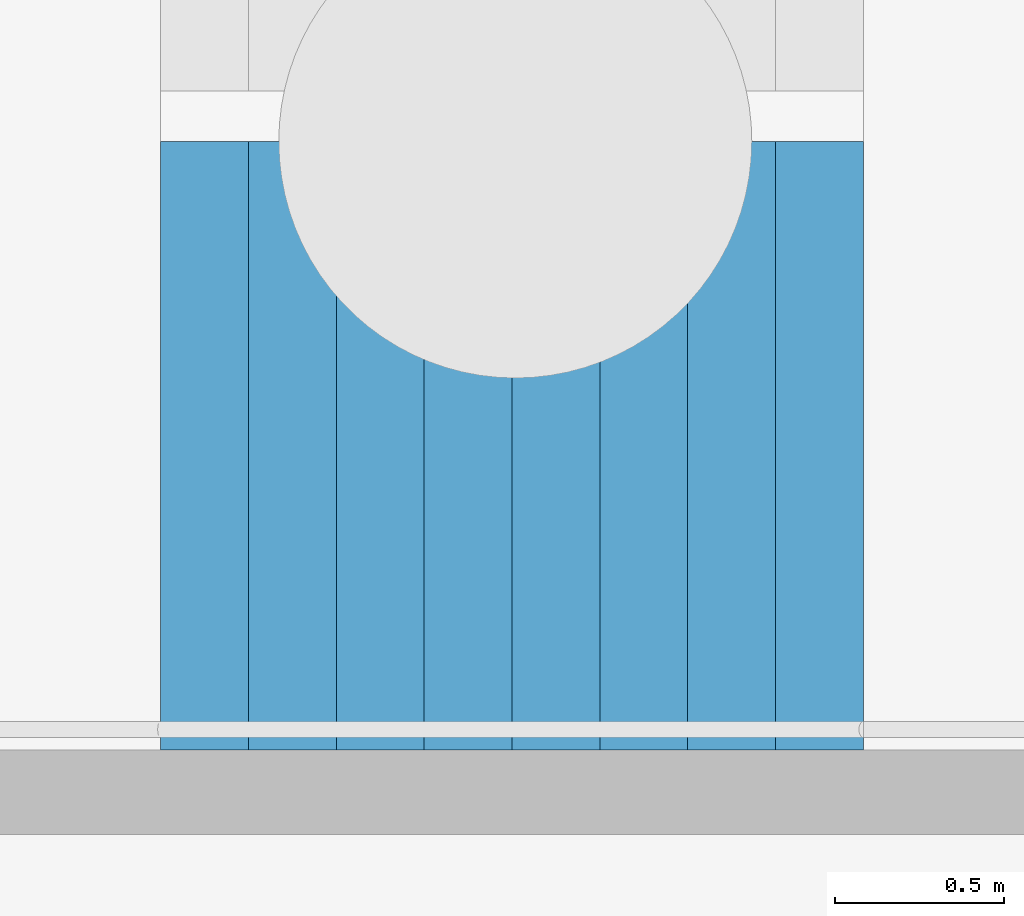
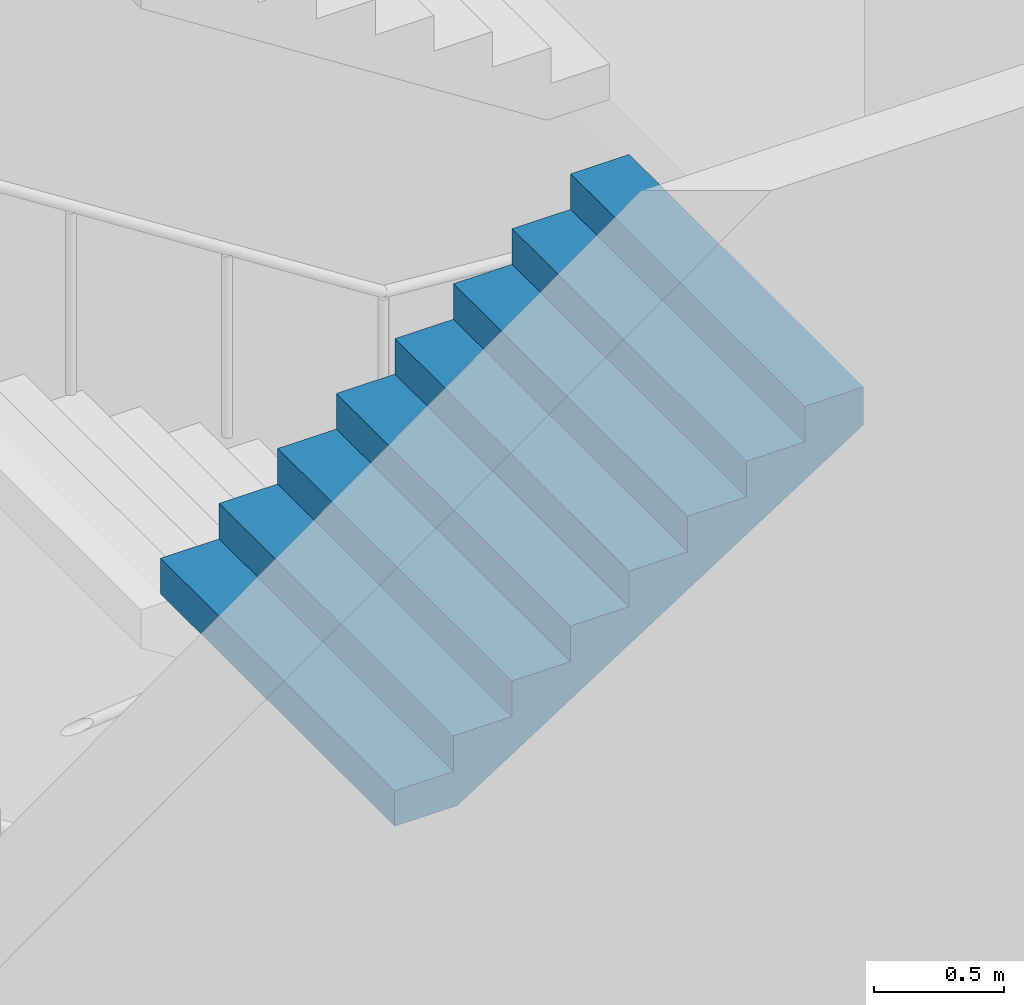
# One storey, part 60 of 113: 1 stair flight, 1 element without a shape of its own.
"""IFC4 building model written with IfcOpenShell, lengths in metres."""

from ifc_helpers import new_model, si_unit, direction, frame, origin, place, context, subcontext, project, spatial, triangles, material, type_object, element, aggregate, save


model = new_model("IFC4")

# Units and contexts
model_context = context("Model", 3, precision=1e-05, world=origin(), true_north=direction((0.0, 1.0)))
body_context = subcontext(model_context, "Body", "Model", "MODEL_VIEW")
ifc_project = project(units=[si_unit("LENGTHUNIT", "METRE"), si_unit("AREAUNIT", "SQUARE_METRE"), si_unit("VOLUMEUNIT", "CUBIC_METRE"), si_unit("PLANEANGLEUNIT", "RADIAN"), si_unit("MASSUNIT", "GRAM", prefix="KILO")], contexts=[model_context])

# Site, building, storey
site_placement = place(None, origin())
site = spatial("IfcSite", under=ifc_project, at=site_placement, CompositionType="ELEMENT")
building_placement = place(site_placement, origin())
building = spatial("IfcBuilding", under=site, at=building_placement, Name="Hakoniwa Tower and Hamabe Station Hall", CompositionType="ELEMENT")
storey_placement = place(building_placement, origin())
storey = spatial("IfcBuildingStorey", under=building, at=storey_placement, Name="L01", CompositionType="ELEMENT", Elevation=0.0)

# Stair, stair flight
ifc_material_1 = material(Name="Concrete C40", Category="concrete")
stair_type = type_object("IfcStairType", Name="ESCAPE STAIR 1800", PredefinedType="HALF_TURN_STAIR", material=ifc_material_1)
stair_placement = place(storey_placement, origin())
stair = element("IfcStair", 1, at=stair_placement, inside=storey, type_object=stair_type, Name="Escape stair ST-1 L01", PredefinedType="HALF_TURN_STAIR")
ifc_material_2 = material(Name="Concrete C40", Category="concrete")
stair_flight_type = type_object("IfcStairFlightType", Name="STAIR FLIGHT 1800", PredefinedType="STRAIGHT", material=ifc_material_2)
stair_flight_placement = place(storey_placement, frame((-24.39990234375, 4.64990234375, 6.0), z_axis=(0.0, 0.0, 1.0), x_axis=(1.0, 0.0, 0.0)))
stair_flight = element("IfcStairFlight", 2, at=stair_flight_placement, type_object=stair_flight_type, Name="ST-1 flight 5", NumberOfRisers=9, NumberOfTreads=8, PredefinedType="STRAIGHT", RiserHeight=0.166666667, TreadLength=0.26, context=body_context, shape_type="Tessellation", body=[
    triangles([(0.0, 0.89990234375, 0.0), (0.260009765625, 0.89990234375, 0.0), (0.27783203125, 0.89990234375, 0.0), (0.52001953125, 0.89990234375, 0.1552734375), (0.780029296875, 0.89990234375, 0.322021484375), (1.0400390625, 0.89990234375, 0.488525390625), (1.300048828125, 0.89990234375, 0.6552734375), (1.56005859375, 0.89990234375, 0.822021484375), (1.820068359375, 0.89990234375, 0.988525390625), (2.080078125, 0.89990234375, 1.1552734375), (2.080078125, 0.89990234375, 1.333251953125), (1.820068359375, 0.89990234375, 1.333251953125), (1.820068359375, 0.89990234375, 1.166748046875), (1.56005859375, 0.89990234375, 1.166748046875), (1.56005859375, 0.89990234375, 1.0), (1.300048828125, 0.89990234375, 1.0), (1.300048828125, 0.89990234375, 0.833251953125), (1.0400390625, 0.89990234375, 0.833251953125), (1.0400390625, 0.89990234375, 0.666748046875), (0.780029296875, 0.89990234375, 0.666748046875), (0.780029296875, 0.89990234375, 0.5), (0.52001953125, 0.89990234375, 0.5), (0.52001953125, 0.89990234375, 0.333251953125), (0.27783203125, 0.89990234375, 0.333251953125), (0.260009765625, 0.89990234375, 0.333251953125), (0.260009765625, 0.89990234375, 0.166748046875), (0.0, 0.89990234375, 0.166748046875), (0.0, 0.06005859375, 0.0), (0.260009765625, 0.06005859375, 0.0), (0.27783203125, 0.06005859375, 0.0), (0.52001953125, 0.06005859375, 0.1552734375), (0.780029296875, 0.06005859375, 0.322021484375), (1.0400390625, 0.06005859375, 0.488525390625), (1.300048828125, 0.06005859375, 0.6552734375), (1.56005859375, 0.06005859375, 0.822021484375), (1.820068359375, 0.06005859375, 0.988525390625), (2.080078125, 0.06005859375, 1.1552734375), (2.080078125, 0.06005859375, 1.333251953125), (1.820068359375, 0.06005859375, 1.333251953125), (1.820068359375, 0.06005859375, 1.166748046875), (1.56005859375, 0.06005859375, 1.166748046875), (1.56005859375, 0.06005859375, 1.0), (1.300048828125, 0.06005859375, 1.0), (1.300048828125, 0.06005859375, 0.833251953125), (1.0400390625, 0.06005859375, 0.833251953125), (1.0400390625, 0.06005859375, 0.666748046875), (0.780029296875, 0.06005859375, 0.666748046875), (0.780029296875, 0.06005859375, 0.5), (0.52001953125, 0.06005859375, 0.5), (0.52001953125, 0.06005859375, 0.333251953125), (0.27783203125, 0.06005859375, 0.333251953125), (0.260009765625, 0.06005859375, 0.333251953125), (0.260009765625, 0.06005859375, 0.166748046875), (0.0, 0.06005859375, 0.166748046875), (0.0, 0.04296875, 0.0), (0.260009765625, 0.04296875, 0.0), (0.27783203125, 0.04296875, 0.0), (0.52001953125, 0.04296875, 0.1552734375), (0.780029296875, 0.04296875, 0.322021484375), (1.0400390625, 0.04296875, 0.488525390625), (1.300048828125, 0.04296875, 0.6552734375), (1.56005859375, 0.04296875, 0.822021484375), (1.820068359375, 0.04296875, 0.988525390625), (2.080078125, 0.04296875, 1.1552734375), (2.080078125, 0.04296875, 1.333251953125), (1.820068359375, 0.04296875, 1.333251953125), (1.820068359375, 0.04296875, 1.166748046875), (1.56005859375, 0.04296875, 1.166748046875), (1.56005859375, 0.04296875, 1.0), (1.300048828125, 0.04296875, 1.0), (1.300048828125, 0.04296875, 0.833251953125), (1.0400390625, 0.04296875, 0.833251953125), (1.0400390625, 0.04296875, 0.666748046875), (0.780029296875, 0.04296875, 0.666748046875), (0.780029296875, 0.04296875, 0.5), (0.52001953125, 0.04296875, 0.5), (0.52001953125, 0.04296875, 0.333251953125), (0.27783203125, 0.04296875, 0.333251953125), (0.260009765625, 0.04296875, 0.333251953125), (0.260009765625, 0.04296875, 0.166748046875), (0.0, 0.04296875, 0.166748046875), (0.0, 0.025634765625, 0.0), (0.260009765625, 0.025634765625, 0.0), (0.27783203125, 0.025634765625, 0.0), (0.52001953125, 0.025634765625, 0.1552734375), (0.780029296875, 0.025634765625, 0.322021484375), (1.0400390625, 0.025634765625, 0.488525390625), (1.300048828125, 0.025634765625, 0.6552734375), (1.56005859375, 0.025634765625, 0.822021484375), (1.820068359375, 0.025634765625, 0.988525390625), (2.080078125, 0.025634765625, 1.1552734375), (2.080078125, 0.025634765625, 1.333251953125), (1.820068359375, 0.025634765625, 1.333251953125), (1.820068359375, 0.025634765625, 1.166748046875), (1.56005859375, 0.025634765625, 1.166748046875), (1.56005859375, 0.025634765625, 1.0), (1.300048828125, 0.025634765625, 1.0), (1.300048828125, 0.025634765625, 0.833251953125), (1.0400390625, 0.025634765625, 0.833251953125), (1.0400390625, 0.025634765625, 0.666748046875), (0.780029296875, 0.025634765625, 0.666748046875), (0.780029296875, 0.025634765625, 0.5), (0.52001953125, 0.025634765625, 0.5), (0.52001953125, 0.025634765625, 0.333251953125), (0.27783203125, 0.025634765625, 0.333251953125), (0.260009765625, 0.025634765625, 0.333251953125), (0.260009765625, 0.025634765625, 0.166748046875), (0.0, 0.025634765625, 0.166748046875), (0.0, 0.008544921875, 0.0), (0.260009765625, 0.008544921875, 0.0), (0.27783203125, 0.008544921875, 0.0), (0.52001953125, 0.008544921875, 0.1552734375), (0.780029296875, 0.008544921875, 0.322021484375), (1.0400390625, 0.008544921875, 0.488525390625), (1.300048828125, 0.008544921875, 0.6552734375), (1.56005859375, 0.008544921875, 0.822021484375), (1.820068359375, 0.008544921875, 0.988525390625), (2.080078125, 0.008544921875, 1.1552734375), (2.080078125, 0.008544921875, 1.333251953125), (1.820068359375, 0.008544921875, 1.333251953125), (1.820068359375, 0.008544921875, 1.166748046875), (1.56005859375, 0.008544921875, 1.166748046875), (1.56005859375, 0.008544921875, 1.0), (1.300048828125, 0.008544921875, 1.0), (1.300048828125, 0.008544921875, 0.833251953125), (1.0400390625, 0.008544921875, 0.833251953125), (1.0400390625, 0.008544921875, 0.666748046875), (0.780029296875, 0.008544921875, 0.666748046875), (0.780029296875, 0.008544921875, 0.5), (0.52001953125, 0.008544921875, 0.5), (0.52001953125, 0.008544921875, 0.333251953125), (0.27783203125, 0.008544921875, 0.333251953125), (0.260009765625, 0.008544921875, 0.333251953125), (0.260009765625, 0.008544921875, 0.166748046875), (0.0, 0.008544921875, 0.166748046875), (0.0, -0.008544921875, 0.0), (0.260009765625, -0.008544921875, 0.0), (0.27783203125, -0.008544921875, 0.0), (0.52001953125, -0.008544921875, 0.1552734375), (0.780029296875, -0.008544921875, 0.322021484375), (1.0400390625, -0.008544921875, 0.488525390625), (1.300048828125, -0.008544921875, 0.6552734375), (1.56005859375, -0.008544921875, 0.822021484375), (1.820068359375, -0.008544921875, 0.988525390625), (2.080078125, -0.008544921875, 1.1552734375), (2.080078125, -0.008544921875, 1.333251953125), (1.820068359375, -0.008544921875, 1.333251953125), (1.820068359375, -0.008544921875, 1.166748046875), (1.56005859375, -0.008544921875, 1.166748046875), (1.56005859375, -0.008544921875, 1.0), (1.300048828125, -0.008544921875, 1.0), (1.300048828125, -0.008544921875, 0.833251953125), (1.0400390625, -0.008544921875, 0.833251953125), (1.0400390625, -0.008544921875, 0.666748046875), (0.780029296875, -0.008544921875, 0.666748046875), (0.780029296875, -0.008544921875, 0.5), (0.52001953125, -0.008544921875, 0.5), (0.52001953125, -0.008544921875, 0.333251953125), (0.27783203125, -0.008544921875, 0.333251953125), (0.260009765625, -0.008544921875, 0.333251953125), (0.260009765625, -0.008544921875, 0.166748046875), (0.0, -0.008544921875, 0.166748046875), (0.0, -0.025634765625, 0.0), (0.260009765625, -0.025634765625, 0.0), (0.27783203125, -0.025634765625, 0.0), (0.52001953125, -0.025634765625, 0.1552734375), (0.780029296875, -0.025634765625, 0.322021484375), (1.0400390625, -0.025634765625, 0.488525390625), (1.300048828125, -0.025634765625, 0.6552734375), (1.56005859375, -0.025634765625, 0.822021484375), (1.820068359375, -0.025634765625, 0.988525390625), (2.080078125, -0.025634765625, 1.1552734375), (2.080078125, -0.025634765625, 1.333251953125), (1.820068359375, -0.025634765625, 1.333251953125), (1.820068359375, -0.025634765625, 1.166748046875), (1.56005859375, -0.025634765625, 1.166748046875), (1.56005859375, -0.025634765625, 1.0), (1.300048828125, -0.025634765625, 1.0), (1.300048828125, -0.025634765625, 0.833251953125), (1.0400390625, -0.025634765625, 0.833251953125), (1.0400390625, -0.025634765625, 0.666748046875), (0.780029296875, -0.025634765625, 0.666748046875), (0.780029296875, -0.025634765625, 0.5), (0.52001953125, -0.025634765625, 0.5), (0.52001953125, -0.025634765625, 0.333251953125), (0.27783203125, -0.025634765625, 0.333251953125), (0.260009765625, -0.025634765625, 0.333251953125), (0.260009765625, -0.025634765625, 0.166748046875), (0.0, -0.025634765625, 0.166748046875), (0.0, -0.04296875, 0.0), (0.260009765625, -0.04296875, 0.0), (0.27783203125, -0.04296875, 0.0), (0.52001953125, -0.04296875, 0.1552734375), (0.780029296875, -0.04296875, 0.322021484375), (1.0400390625, -0.04296875, 0.488525390625), (1.300048828125, -0.04296875, 0.6552734375), (1.56005859375, -0.04296875, 0.822021484375), (1.820068359375, -0.04296875, 0.988525390625), (2.080078125, -0.04296875, 1.1552734375), (2.080078125, -0.04296875, 1.333251953125), (1.820068359375, -0.04296875, 1.333251953125), (1.820068359375, -0.04296875, 1.166748046875), (1.56005859375, -0.04296875, 1.166748046875), (1.56005859375, -0.04296875, 1.0), (1.300048828125, -0.04296875, 1.0), (1.300048828125, -0.04296875, 0.833251953125), (1.0400390625, -0.04296875, 0.833251953125), (1.0400390625, -0.04296875, 0.666748046875), (0.780029296875, -0.04296875, 0.666748046875), (0.780029296875, -0.04296875, 0.5), (0.52001953125, -0.04296875, 0.5), (0.52001953125, -0.04296875, 0.333251953125), (0.27783203125, -0.04296875, 0.333251953125), (0.260009765625, -0.04296875, 0.333251953125), (0.260009765625, -0.04296875, 0.166748046875), (0.0, -0.04296875, 0.166748046875), (0.0, -0.06005859375, 0.0), (0.260009765625, -0.06005859375, 0.0), (0.27783203125, -0.06005859375, 0.0), (0.52001953125, -0.06005859375, 0.1552734375), (0.780029296875, -0.06005859375, 0.322021484375), (1.0400390625, -0.06005859375, 0.488525390625), (1.300048828125, -0.06005859375, 0.6552734375), (1.56005859375, -0.06005859375, 0.822021484375), (1.820068359375, -0.06005859375, 0.988525390625), (2.080078125, -0.06005859375, 1.1552734375), (2.080078125, -0.06005859375, 1.333251953125), (1.820068359375, -0.06005859375, 1.333251953125), (1.820068359375, -0.06005859375, 1.166748046875), (1.56005859375, -0.06005859375, 1.166748046875), (1.56005859375, -0.06005859375, 1.0), (1.300048828125, -0.06005859375, 1.0), (1.300048828125, -0.06005859375, 0.833251953125), (1.0400390625, -0.06005859375, 0.833251953125), (1.0400390625, -0.06005859375, 0.666748046875), (0.780029296875, -0.06005859375, 0.666748046875), (0.780029296875, -0.06005859375, 0.5), (0.52001953125, -0.06005859375, 0.5), (0.52001953125, -0.06005859375, 0.333251953125), (0.27783203125, -0.06005859375, 0.333251953125), (0.260009765625, -0.06005859375, 0.333251953125), (0.260009765625, -0.06005859375, 0.166748046875), (0.0, -0.06005859375, 0.166748046875), (0.0, -0.89990234375, 0.0), (0.260009765625, -0.89990234375, 0.0), (0.27783203125, -0.89990234375, 0.0), (0.52001953125, -0.89990234375, 0.1552734375), (0.780029296875, -0.89990234375, 0.322021484375), (1.0400390625, -0.89990234375, 0.488525390625), (1.300048828125, -0.89990234375, 0.6552734375), (1.56005859375, -0.89990234375, 0.822021484375), (1.820068359375, -0.89990234375, 0.988525390625), (2.080078125, -0.89990234375, 1.1552734375), (2.080078125, -0.89990234375, 1.333251953125), (1.820068359375, -0.89990234375, 1.333251953125), (1.820068359375, -0.89990234375, 1.166748046875), (1.56005859375, -0.89990234375, 1.166748046875), (1.56005859375, -0.89990234375, 1.0), (1.300048828125, -0.89990234375, 1.0), (1.300048828125, -0.89990234375, 0.833251953125), (1.0400390625, -0.89990234375, 0.833251953125), (1.0400390625, -0.89990234375, 0.666748046875), (0.780029296875, -0.89990234375, 0.666748046875), (0.780029296875, -0.89990234375, 0.5), (0.52001953125, -0.89990234375, 0.5), (0.52001953125, -0.89990234375, 0.333251953125), (0.27783203125, -0.89990234375, 0.333251953125), (0.260009765625, -0.89990234375, 0.333251953125), (0.260009765625, -0.89990234375, 0.166748046875), (0.0, -0.89990234375, 0.166748046875)], [[2, 27, 26], [245, 269, 270], [2, 1, 27], [245, 270, 244], [3, 25, 24], [246, 267, 268], [3, 26, 25], [246, 268, 269], [3, 2, 26], [246, 269, 245], [4, 24, 23], [247, 266, 267], [4, 3, 24], [247, 267, 246], [5, 22, 21], [248, 264, 265], [5, 23, 22], [248, 265, 266], [5, 4, 23], [248, 266, 247], [6, 20, 19], [249, 262, 263], [6, 21, 20], [249, 263, 264], [6, 5, 21], [249, 264, 248], [7, 18, 17], [250, 260, 261], [7, 19, 18], [250, 261, 262], [7, 6, 19], [250, 262, 249], [8, 16, 15], [251, 258, 259], [8, 17, 16], [251, 259, 260], [8, 7, 17], [251, 260, 250], [9, 14, 13], [252, 256, 257], [9, 15, 14], [252, 257, 258], [9, 8, 15], [252, 258, 251], [10, 12, 11], [253, 254, 255], [10, 13, 12], [253, 255, 256], [10, 9, 13], [253, 256, 252], [1, 2, 29], [1, 29, 28], [28, 29, 56], [28, 56, 55], [55, 56, 83], [55, 83, 82], [82, 83, 110], [82, 110, 109], [109, 110, 137], [109, 137, 136], [136, 137, 164], [136, 164, 163], [163, 164, 191], [163, 191, 190], [190, 191, 218], [190, 218, 217], [217, 218, 245], [217, 245, 244], [2, 3, 30], [2, 30, 29], [29, 30, 57], [29, 57, 56], [56, 57, 84], [56, 84, 83], [83, 84, 111], [83, 111, 110], [110, 111, 138], [110, 138, 137], [137, 138, 165], [137, 165, 164], [164, 165, 192], [164, 192, 191], [191, 192, 219], [191, 219, 218], [218, 219, 246], [218, 246, 245], [3, 4, 31], [3, 31, 30], [30, 31, 58], [30, 58, 57], [57, 58, 85], [57, 85, 84], [84, 85, 112], [84, 112, 111], [111, 112, 139], [111, 139, 138], [138, 139, 166], [138, 166, 165], [165, 166, 193], [165, 193, 192], [192, 193, 220], [192, 220, 219], [219, 220, 247], [219, 247, 246], [4, 5, 32], [4, 32, 31], [31, 32, 59], [31, 59, 58], [58, 59, 86], [58, 86, 85], [85, 86, 113], [85, 113, 112], [112, 113, 140], [112, 140, 139], [139, 140, 167], [139, 167, 166], [166, 167, 194], [166, 194, 193], [193, 194, 221], [193, 221, 220], [220, 221, 248], [220, 248, 247], [5, 6, 33], [5, 33, 32], [32, 33, 60], [32, 60, 59], [59, 60, 87], [59, 87, 86], [86, 87, 114], [86, 114, 113], [113, 114, 141], [113, 141, 140], [140, 141, 168], [140, 168, 167], [167, 168, 195], [167, 195, 194], [194, 195, 222], [194, 222, 221], [221, 222, 249], [221, 249, 248], [6, 7, 34], [6, 34, 33], [33, 34, 61], [33, 61, 60], [60, 61, 88], [60, 88, 87], [87, 88, 115], [87, 115, 114], [114, 115, 142], [114, 142, 141], [141, 142, 169], [141, 169, 168], [168, 169, 196], [168, 196, 195], [195, 196, 223], [195, 223, 222], [222, 223, 250], [222, 250, 249], [7, 8, 35], [7, 35, 34], [34, 35, 62], [34, 62, 61], [61, 62, 89], [61, 89, 88], [88, 89, 116], [88, 116, 115], [115, 116, 143], [115, 143, 142], [142, 143, 170], [142, 170, 169], [169, 170, 197], [169, 197, 196], [196, 197, 224], [196, 224, 223], [223, 224, 251], [223, 251, 250], [8, 9, 36], [8, 36, 35], [35, 36, 63], [35, 63, 62], [62, 63, 90], [62, 90, 89], [89, 90, 117], [89, 117, 116], [116, 117, 144], [116, 144, 143], [143, 144, 171], [143, 171, 170], [170, 171, 198], [170, 198, 197], [197, 198, 225], [197, 225, 224], [224, 225, 252], [224, 252, 251], [9, 10, 37], [9, 37, 36], [36, 37, 64], [36, 64, 63], [63, 64, 91], [63, 91, 90], [90, 91, 118], [90, 118, 117], [117, 118, 145], [117, 145, 144], [144, 145, 172], [144, 172, 171], [171, 172, 199], [171, 199, 198], [198, 199, 226], [198, 226, 225], [225, 226, 253], [225, 253, 252], [10, 11, 38], [10, 38, 37], [37, 38, 65], [37, 65, 64], [64, 65, 92], [64, 92, 91], [91, 92, 119], [91, 119, 118], [118, 119, 146], [118, 146, 145], [145, 146, 173], [145, 173, 172], [172, 173, 200], [172, 200, 199], [199, 200, 227], [199, 227, 226], [226, 227, 254], [226, 254, 253], [11, 12, 39], [11, 39, 38], [38, 39, 66], [38, 66, 65], [65, 66, 93], [65, 93, 92], [92, 93, 120], [92, 120, 119], [119, 120, 147], [119, 147, 146], [146, 147, 174], [146, 174, 173], [173, 174, 201], [173, 201, 200], [200, 201, 228], [200, 228, 227], [227, 228, 255], [227, 255, 254], [12, 13, 40], [12, 40, 39], [39, 40, 67], [39, 67, 66], [66, 67, 94], [66, 94, 93], [93, 94, 121], [93, 121, 120], [120, 121, 148], [120, 148, 147], [147, 148, 175], [147, 175, 174], [174, 175, 202], [174, 202, 201], [201, 202, 229], [201, 229, 228], [228, 229, 256], [228, 256, 255], [13, 14, 41], [13, 41, 40], [40, 41, 68], [40, 68, 67], [67, 68, 95], [67, 95, 94], [94, 95, 122], [94, 122, 121], [121, 122, 149], [121, 149, 148], [148, 149, 176], [148, 176, 175], [175, 176, 203], [175, 203, 202], [202, 203, 230], [202, 230, 229], [229, 230, 257], [229, 257, 256], [14, 15, 42], [14, 42, 41], [41, 42, 69], [41, 69, 68], [68, 69, 96], [68, 96, 95], [95, 96, 123], [95, 123, 122], [122, 123, 150], [122, 150, 149], [149, 150, 177], [149, 177, 176], [176, 177, 204], [176, 204, 203], [203, 204, 231], [203, 231, 230], [230, 231, 258], [230, 258, 257], [15, 16, 43], [15, 43, 42], [42, 43, 70], [42, 70, 69], [69, 70, 97], [69, 97, 96], [96, 97, 124], [96, 124, 123], [123, 124, 151], [123, 151, 150], [150, 151, 178], [150, 178, 177], [177, 178, 205], [177, 205, 204], [204, 205, 232], [204, 232, 231], [231, 232, 259], [231, 259, 258], [16, 17, 44], [16, 44, 43], [43, 44, 71], [43, 71, 70], [70, 71, 98], [70, 98, 97], [97, 98, 125], [97, 125, 124], [124, 125, 152], [124, 152, 151], [151, 152, 179], [151, 179, 178], [178, 179, 206], [178, 206, 205], [205, 206, 233], [205, 233, 232], [232, 233, 260], [232, 260, 259], [17, 18, 45], [17, 45, 44], [44, 45, 72], [44, 72, 71], [71, 72, 99], [71, 99, 98], [98, 99, 126], [98, 126, 125], [125, 126, 153], [125, 153, 152], [152, 153, 180], [152, 180, 179], [179, 180, 207], [179, 207, 206], [206, 207, 234], [206, 234, 233], [233, 234, 261], [233, 261, 260], [18, 19, 46], [18, 46, 45], [45, 46, 73], [45, 73, 72], [72, 73, 100], [72, 100, 99], [99, 100, 127], [99, 127, 126], [126, 127, 154], [126, 154, 153], [153, 154, 181], [153, 181, 180], [180, 181, 208], [180, 208, 207], [207, 208, 235], [207, 235, 234], [234, 235, 262], [234, 262, 261], [19, 20, 47], [19, 47, 46], [46, 47, 74], [46, 74, 73], [73, 74, 101], [73, 101, 100], [100, 101, 128], [100, 128, 127], [127, 128, 155], [127, 155, 154], [154, 155, 182], [154, 182, 181], [181, 182, 209], [181, 209, 208], [208, 209, 236], [208, 236, 235], [235, 236, 263], [235, 263, 262], [20, 21, 48], [20, 48, 47], [47, 48, 75], [47, 75, 74], [74, 75, 102], [74, 102, 101], [101, 102, 129], [101, 129, 128], [128, 129, 156], [128, 156, 155], [155, 156, 183], [155, 183, 182], [182, 183, 210], [182, 210, 209], [209, 210, 237], [209, 237, 236], [236, 237, 264], [236, 264, 263], [21, 22, 49], [21, 49, 48], [48, 49, 76], [48, 76, 75], [75, 76, 103], [75, 103, 102], [102, 103, 130], [102, 130, 129], [129, 130, 157], [129, 157, 156], [156, 157, 184], [156, 184, 183], [183, 184, 211], [183, 211, 210], [210, 211, 238], [210, 238, 237], [237, 238, 265], [237, 265, 264], [22, 23, 50], [22, 50, 49], [49, 50, 77], [49, 77, 76], [76, 77, 104], [76, 104, 103], [103, 104, 131], [103, 131, 130], [130, 131, 158], [130, 158, 157], [157, 158, 185], [157, 185, 184], [184, 185, 212], [184, 212, 211], [211, 212, 239], [211, 239, 238], [238, 239, 266], [238, 266, 265], [23, 24, 51], [23, 51, 50], [50, 51, 78], [50, 78, 77], [77, 78, 105], [77, 105, 104], [104, 105, 132], [104, 132, 131], [131, 132, 159], [131, 159, 158], [158, 159, 186], [158, 186, 185], [185, 186, 213], [185, 213, 212], [212, 213, 240], [212, 240, 239], [239, 240, 267], [239, 267, 266], [24, 25, 52], [24, 52, 51], [51, 52, 79], [51, 79, 78], [78, 79, 106], [78, 106, 105], [105, 106, 133], [105, 133, 132], [132, 133, 160], [132, 160, 159], [159, 160, 187], [159, 187, 186], [186, 187, 214], [186, 214, 213], [213, 214, 241], [213, 241, 240], [240, 241, 268], [240, 268, 267], [25, 26, 53], [25, 53, 52], [52, 53, 80], [52, 80, 79], [79, 80, 107], [79, 107, 106], [106, 107, 134], [106, 134, 133], [133, 134, 161], [133, 161, 160], [160, 161, 188], [160, 188, 187], [187, 188, 215], [187, 215, 214], [214, 215, 242], [214, 242, 241], [241, 242, 269], [241, 269, 268], [26, 27, 54], [26, 54, 53], [53, 54, 81], [53, 81, 80], [80, 81, 108], [80, 108, 107], [107, 108, 135], [107, 135, 134], [134, 135, 162], [134, 162, 161], [161, 162, 189], [161, 189, 188], [188, 189, 216], [188, 216, 215], [215, 216, 243], [215, 243, 242], [242, 243, 270], [242, 270, 269], [27, 1, 28], [27, 28, 54], [54, 28, 55], [54, 55, 81], [81, 55, 82], [81, 82, 108], [108, 82, 109], [108, 109, 135], [135, 109, 136], [135, 136, 162], [162, 136, 163], [162, 163, 189], [189, 163, 190], [189, 190, 216], [216, 190, 217], [216, 217, 243], [243, 217, 244], [243, 244, 270]], closed=True),
])
aggregate(stair, [stair_flight])

save(model, "model.ifc")
